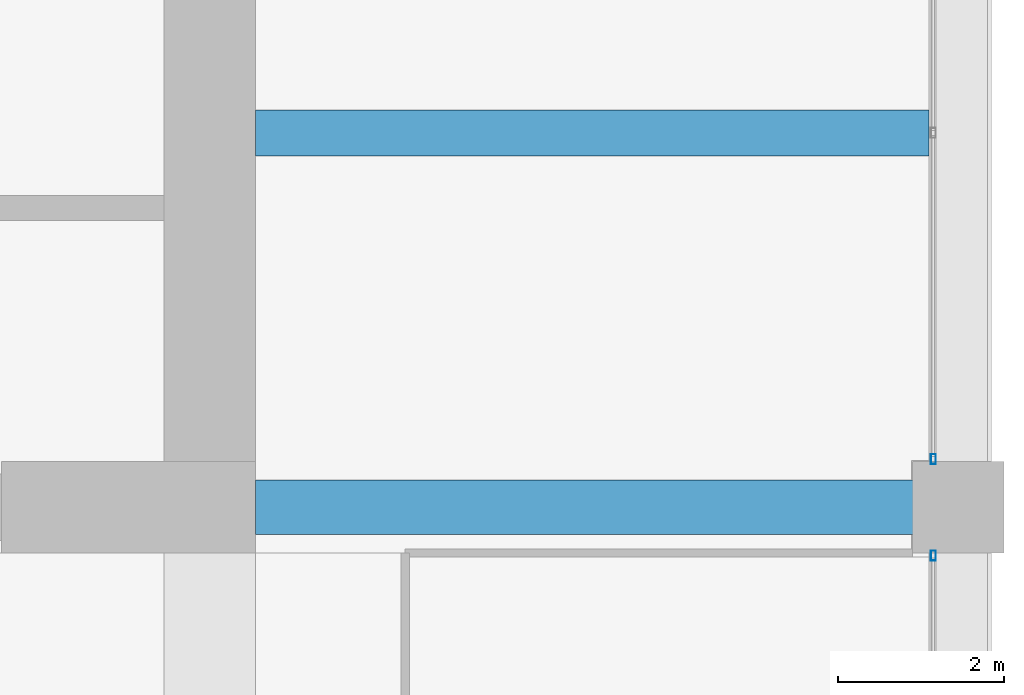
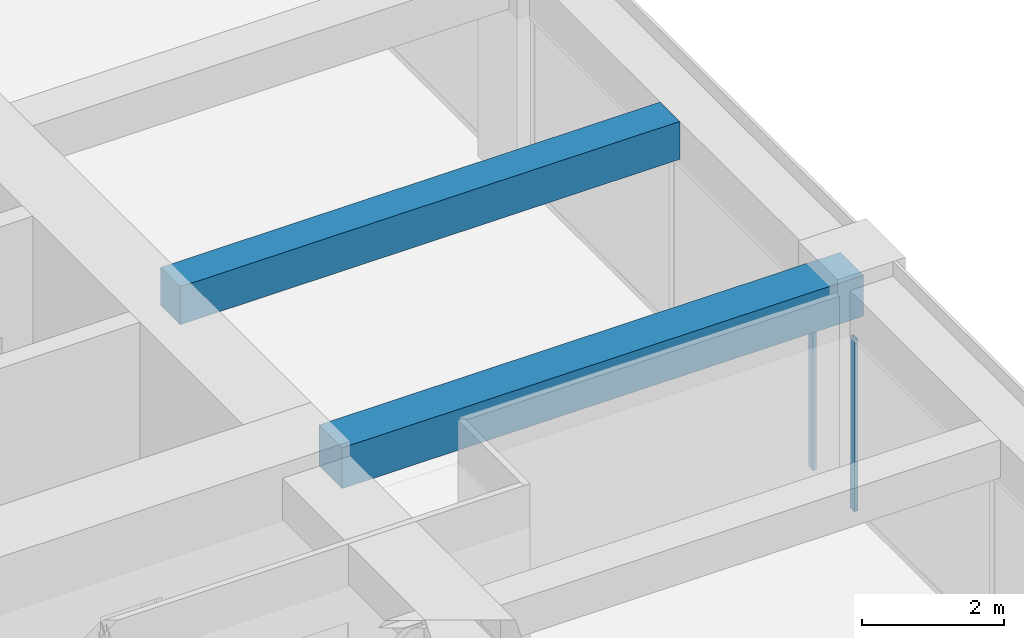
# One storey, part 24 of 44: 2 beams, 2 members, 2 elements without a shape of their own.
"""IFC4 building model written with IfcOpenShell, lengths in metres."""

from ifc_helpers import new_model, si_unit, direction, frame, origin, origin_2d, place, context, subcontext, project, spatial, rectangle, hollow_rectangle, extrude, material, material_profile, profile_set, type_object, element, aggregate, save


model = new_model("IFC4")

# Units and contexts
model_context = context("Model", 3, precision=1e-05, world=origin(), true_north=direction((0.0, 1.0)))
body_context = subcontext(model_context, "Body", "Model", "MODEL_VIEW")
ifc_project = project(units=[si_unit("LENGTHUNIT", "METRE"), si_unit("AREAUNIT", "SQUARE_METRE"), si_unit("VOLUMEUNIT", "CUBIC_METRE"), si_unit("PLANEANGLEUNIT", "RADIAN"), si_unit("MASSUNIT", "GRAM", prefix="KILO")], contexts=[model_context])

# Site, building, storey
site_placement = place(None, origin())
site = spatial("IfcSite", under=ifc_project, at=site_placement, CompositionType="ELEMENT")
building_placement = place(site_placement, origin())
building = spatial("IfcBuilding", under=site, at=building_placement, Name="Zorevar Civic Tower", CompositionType="ELEMENT")
storey_placement = place(building_placement, frame((0.0, 0.0, 283.39990234375)))
storey = spatial("IfcBuildingStorey", under=building, at=storey_placement, Name="L69", CompositionType="ELEMENT", Elevation=283.39990234375)

# Beams
ifc_material_1 = material(Name="Concrete C50/60", Category="concrete")
ifc_material_profile_1 = material_profile(ifc_material_1, rectangle(XDim=0.550048828125, YDim=0.64990234375, at=origin_2d()), Name="RC 550x650")
ifc_profile_set_1 = profile_set([ifc_material_profile_1], Name="Concrete C50/60")
beam_type_1 = type_object("IfcBeamType", Name="Beam RC 550x650", PredefinedType="BEAM", material=ifc_profile_set_1)
beam_1_placement = place(storey_placement, frame((45.550048828125, 22.5, 3.425048828125), z_axis=(1.0, 0.0, 0.0), x_axis=(0.0, 1.0, 0.0)))
element("IfcBeam", 1, at=beam_1_placement, inside=storey, type_object=beam_type_1, Name="Secondary beam L70", PredefinedType="BEAM", context=body_context, shape_type="SweptSolid", body=[
    extrude(rectangle(XDim=0.550048828125, YDim=0.64990234375, at=origin_2d()), origin(), (0.0, 0.0, 1.0), 8.099853515625),
])
ifc_material_2 = material(Name="Concrete C50/60", Category="concrete")
ifc_material_profile_2 = material_profile(ifc_material_2, rectangle(XDim=0.64990234375, YDim=0.699951171875, at=origin_2d()), Name="RC 650x700")
ifc_profile_set_2 = profile_set([ifc_material_profile_2], Name="Concrete C50/60")
beam_type_2 = type_object("IfcBeamType", Name="Beam RC 650x700", PredefinedType="BEAM", material=ifc_profile_set_2)
beam_2_placement = place(storey_placement, frame((45.550048828125, 18.0, 3.400146484375), z_axis=(1.0, 0.0, 0.0), x_axis=(0.0, 1.0, 0.0)))
element("IfcBeam", 2, at=beam_2_placement, inside=storey, type_object=beam_type_2, Name="Girder L70", PredefinedType="BEAM", context=body_context, shape_type="SweptSolid", body=[
    extrude(rectangle(XDim=0.64990234375, YDim=0.699951171875, at=origin_2d()), origin(), (0.0, 0.0, 1.0), 8.449951171875),
])

# Curtain wall, member
ifc_material_3 = material(Name="Dark grey solar-control glass in black aluminium frame", Category="aluminium")
curtain_wall_type = type_object("IfcCurtainWallType", Name="Curtain wall CW5 top zone", PredefinedType="NOTDEFINED", material=ifc_material_3)
curtain_wall_1_placement = place(storey_placement, origin())
curtain_wall_1 = element("IfcCurtainWall", 3, at=curtain_wall_1_placement, inside=storey, type_object=curtain_wall_type, Name="CW5 L69", PredefinedType="NOTDEFINED")
ifc_material_4 = material(Name="Aluminium, black anodised", Category="aluminium")
ifc_material_profile_3 = material_profile(ifc_material_4, hollow_rectangle(XDim=0.06005859375, YDim=0.1201171875, WallThickness=0.0029296875, at=origin_2d()), Name="AL 120x60x3")
ifc_profile_set_3 = profile_set([ifc_material_profile_3], Name="Aluminium, black anodised")
member_type = type_object("IfcMemberType", Name="CW5 mullion AL 120x60x3", PredefinedType="MULLION", material=ifc_profile_set_3)
member_1_placement = place(storey_placement, frame((53.699951171875, 17.419921875, 0.0), z_axis=(0.0, 0.0, 1.0), x_axis=(-1.0, 0.0, 0.0)))
member_1 = element("IfcMember", 4, at=member_1_placement, type_object=member_type, Name="CW5 mullion 3", PredefinedType="MULLION", context=body_context, shape_type="SweptSolid", body=[
    extrude(hollow_rectangle(XDim=0.06005859375, YDim=0.1201171875, WallThickness=0.0029296875, at=origin_2d()), origin(), (0.0, 0.0, 1.0), 2.9501953125),
])
aggregate(curtain_wall_1, [member_1])

curtain_wall_2_placement = place(storey_placement, origin())
curtain_wall_2 = element("IfcCurtainWall", 5, at=curtain_wall_2_placement, inside=storey, type_object=curtain_wall_type, Name="CW5 L69", PredefinedType="NOTDEFINED")
member_2_placement = place(storey_placement, frame((53.699951171875, 18.580078125, 0.0), z_axis=(0.0, 0.0, 1.0), x_axis=(-1.0, 0.0, 0.0)))
member_2 = element("IfcMember", 6, at=member_2_placement, type_object=member_type, Name="CW5 mullion 1", PredefinedType="MULLION", context=body_context, shape_type="SweptSolid", body=[
    extrude(hollow_rectangle(XDim=0.06005859375, YDim=0.1201171875, WallThickness=0.0029296875, at=origin_2d()), origin(), (0.0, 0.0, 1.0), 2.9501953125),
])
aggregate(curtain_wall_2, [member_2])

save(model, "model.ifc")
